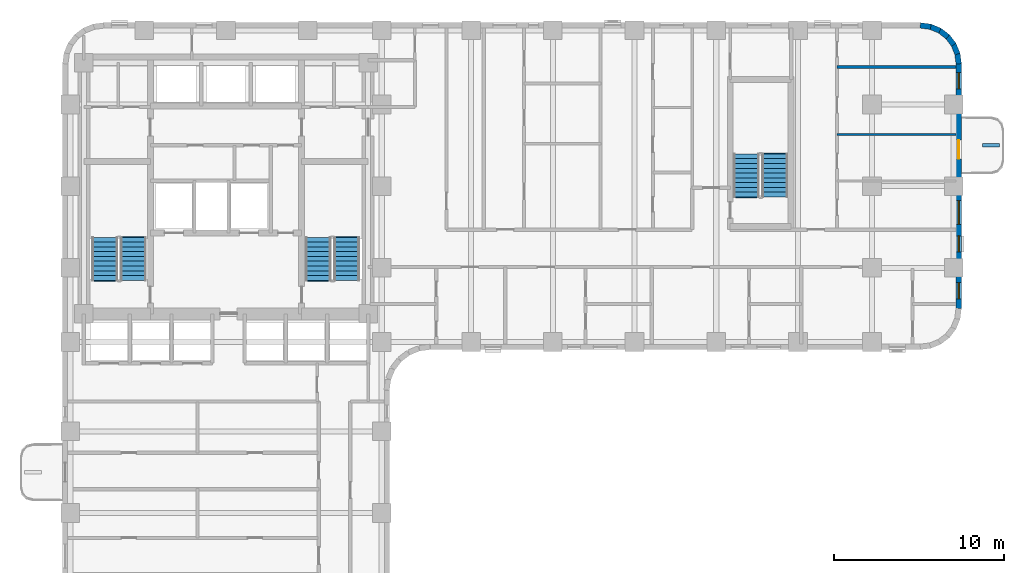
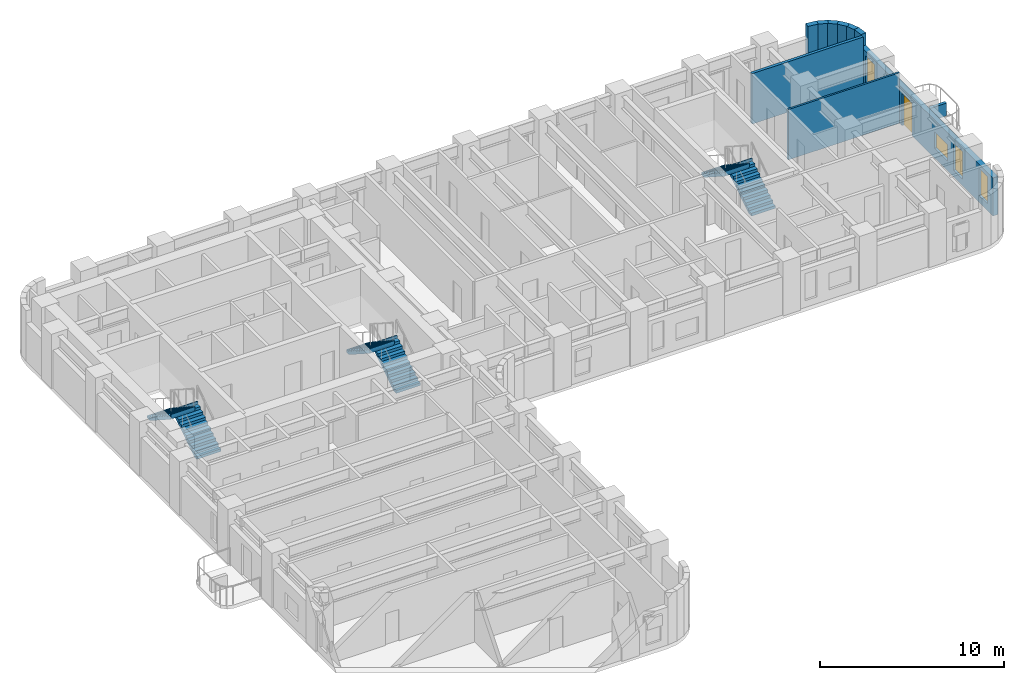
# One storey, part 8 of 11: 10 walls, 6 stair flights, 4 windows, 1 door, 5 openings, 3 elements without a shape of their own.
"""IFC4 building model written with IfcOpenShell, lengths in metres."""

from ifc_helpers import new_model, si_unit, direction, frame, frame_2d, origin, place, context, subcontext, project, spatial, polyline, rectangle, outline, extrude, material, layer, layer_set, type_object, element, fill, aggregate, save


model = new_model("IFC4")

# Units and contexts
model_context = context("Model", 3, precision=1e-05, world=origin(), true_north=direction((0.0, 1.0)))
body_context = subcontext(model_context, "Body", "Model", "MODEL_VIEW")
ifc_project = project(units=[si_unit("LENGTHUNIT", "METRE"), si_unit("AREAUNIT", "SQUARE_METRE"), si_unit("VOLUMEUNIT", "CUBIC_METRE"), si_unit("PLANEANGLEUNIT", "RADIAN"), si_unit("MASSUNIT", "GRAM", prefix="KILO")], contexts=[model_context])

# Site, building, storey
site_placement = place(None, origin())
site = spatial("IfcSite", under=ifc_project, at=site_placement, CompositionType="ELEMENT")
building_placement = place(site_placement, origin())
building = spatial("IfcBuilding", under=site, at=building_placement, Name="Orvandelia Arch Residences", CompositionType="ELEMENT")
storey_placement = place(building_placement, frame((0.0, 0.0, 86.199951171875)))
storey = spatial("IfcBuildingStorey", under=building, at=storey_placement, Name="L22", CompositionType="ELEMENT", Elevation=86.199951171875)

# Walls
ifc_material_1 = material(Name="Precast concrete C40/50", Category="concrete")
ifc_layer_1 = layer(ifc_material_1, 0.320068359375, Name="Precast concrete C40/50", Category="concrete")
ifc_layer_set_1 = layer_set([ifc_layer_1], Name="Precast concrete C40/50")
wall_type_1 = type_object("IfcWallType", Name="WL-EXT-STONE-320", PredefinedType="STANDARD", material=ifc_layer_set_1)
for number, where, z_axis, x_axis, name in (
    (1, (55.17919921875, 47.84130859375, 0.0), (0.0, 0.0, 1.0), (0.9914410257, -0.130555323746, 0.0), "Coral-Limestone Precast Facade Wall L22-008"),
    (2, (55.760009765625, 47.7705078125, 0.0), (0.0, 0.0, 1.0), (0.92389335771, -0.382650053678, 0.0), "Coral-Limestone Precast Facade Wall L22-009"),
):
    element("IfcWall", number, at=place(storey_placement, frame(where, z_axis=z_axis, x_axis=x_axis)), inside=storey, type_object=wall_type_1, Name=name, PredefinedType="STANDARD", context=body_context, shape_type="SweptSolid", body=[
        extrude(rectangle(XDim=0.62646484375, YDim=0.320068359375, at=frame_2d((0.313232421875, 0.0))), origin(), (0.0, 0.0, 1.0), 3.35009765625),
    ])
wall_1_placement = place(storey_placement, frame((56.302490234375, 47.551513671875, 0.0), z_axis=(0.0, 0.0, 1.0), x_axis=(0.793549926411, -0.608505147302, 0.0)))
element("IfcWall", 3, at=wall_1_placement, inside=storey, type_object=wall_type_1, Name="Coral-Limestone Precast Facade Wall L22-010", PredefinedType="STANDARD", context=body_context, shape_type="SweptSolid", body=[
    extrude(rectangle(XDim=0.626708984375, YDim=0.320068359375, at=frame_2d((0.3134765625, 0.0))), origin(), (0.0, 0.0, 1.0), 3.35009765625),
])
for number, where, z_axis, x_axis, name in (
    (4, (56.770263671875, 47.19970703125, 0.0), (0.0, 0.0, 1.0), (0.608693302629, -0.793405610854, 0.0), "Coral-Limestone Precast Facade Wall L22-011"),
    (5, (57.130615234375, 46.73876953125, 0.0), (0.0, 0.0, 1.0), (0.382650053678, -0.92389335771, 0.0), "Coral-Limestone Precast Facade Wall L22-012"),
    (6, (57.359619140625, 46.2001953125, 0.0), (0.0, 0.0, 1.0), (0.130555323746, -0.9914410257, 0.0), "Coral-Limestone Precast Facade Wall L22-013"),
):
    element("IfcWall", number, at=place(storey_placement, frame(where, z_axis=z_axis, x_axis=x_axis)), inside=storey, type_object=wall_type_1, Name=name, PredefinedType="STANDARD", context=body_context, shape_type="SweptSolid", body=[
        extrude(rectangle(XDim=0.62646484375, YDim=0.320068359375, at=frame_2d((0.313232421875, 0.0))), origin(), (0.0, 0.0, 1.0), 3.35009765625),
    ])

# Wall, openings, door, windows
wall_2_placement = place(storey_placement, frame((57.43994140625, 45.60009765625, 0.0), z_axis=(0.0, 0.0, 1.0), x_axis=(0.0, -1.0, 0.0)))
wall_2 = element("IfcWall", 7, at=wall_2_placement, inside=storey, type_object=wall_type_1, Name="Coral-Limestone Precast Facade Wall L22-014", PredefinedType="STANDARD", context=body_context, shape_type="SweptSolid", body=[
    extrude(rectangle(XDim=14.400146484375, YDim=0.320068359375, at=frame_2d((7.2001953125, 0.0))), origin(), (0.0, 0.0, 1.0), 2.530029296875),
])
opening_1_placement = place(wall_2_placement, frame((4.5, 0.0, 0.0)))
opening_1 = element("IfcOpeningElement", 8, at=opening_1_placement, cuts=wall_2, Name="Opening BD1", PredefinedType="OPENING", context=body_context, shape_type="SweptSolid", body=[
    extrude(rectangle(XDim=1.10009765625, YDim=2.14990234375, at=frame_2d((0.550048828125, 1.074951171875))), frame((0.0, 0.169921875, 0.0), z_axis=(0.0, -1.0, 0.0), x_axis=(1.0, 0.0, 0.0)), (0.0, 0.0, 1.0), 0.340087890625),
])
opening_2_placement = place(wall_2_placement, frame((8.050048828125, 0.0, 0.64990234375)))
opening_2 = element("IfcOpeningElement", 9, at=opening_2_placement, cuts=wall_2, Name="Opening W10", PredefinedType="OPENING", context=body_context, shape_type="SweptSolid", body=[
    extrude(rectangle(XDim=1.39990234375, YDim=1.10009765625, at=frame_2d((0.699951171875, 0.550048828125))), frame((0.0, 0.169921875, 0.0), z_axis=(0.0, -1.0, 0.0), x_axis=(1.0, 0.0, 0.0)), (0.0, 0.0, 1.0), 0.340087890625),
])
opening_3_placement = place(wall_2_placement, frame((10.114990234375, 0.0, 0.449951171875)))
opening_3 = element("IfcOpeningElement", 10, at=opening_3_placement, cuts=wall_2, Name="Opening W4", PredefinedType="OPENING", context=body_context, shape_type="SweptSolid", body=[
    extrude(rectangle(XDim=0.949951171875, YDim=1.800048828125, at=frame_2d((0.47509765625, 0.89990234375))), frame((0.0, 0.169921875, 0.0), z_axis=(0.0, -1.0, 0.0), x_axis=(1.0, 0.0, 0.0)), (0.0, 0.0, 1.0), 0.340087890625),
])
opening_4_placement = place(wall_2_placement, frame((12.867431640625, 0.0, 0.449951171875)))
opening_4 = element("IfcOpeningElement", 11, at=opening_4_placement, cuts=wall_2, Name="Opening W4", PredefinedType="OPENING", context=body_context, shape_type="SweptSolid", body=[
    extrude(rectangle(XDim=0.949951171875, YDim=1.800048828125, at=frame_2d((0.47509765625, 0.89990234375))), frame((0.0, 0.169921875, 0.0), z_axis=(0.0, -1.0, 0.0), x_axis=(1.0, 0.0, 0.0)), (0.0, 0.0, 1.0), 0.340087890625),
])
opening_5_placement = place(wall_2_placement, frame((0.537109375, 0.0, 0.449951171875)))
opening_5 = element("IfcOpeningElement", 12, at=opening_5_placement, cuts=wall_2, Name="Opening W4", PredefinedType="OPENING", context=body_context, shape_type="SweptSolid", body=[
    extrude(rectangle(XDim=0.949951171875, YDim=1.800048828125, at=frame_2d((0.47509765625, 0.89990234375))), frame((0.0, 0.169921875, 0.0), z_axis=(0.0, -1.0, 0.0), x_axis=(1.0, 0.0, 0.0)), (0.0, 0.0, 1.0), 0.340087890625),
])
ifc_material_2 = material(Name="Thermally Broken Aluminium Glazed Door", Category="aluminium")
door_type = type_object("IfcDoorType", Name="DR-BAL-GLAZ-1100", OperationType="NOTDEFINED", PredefinedType="DOOR", material=ifc_material_2)
door_placement = place(opening_1_placement, origin())
door = element("IfcDoor", 13, at=door_placement, inside=storey, type_object=door_type, Name="Tree Balcony Glazed Door BAL-L22-E1", OperationType="SINGLE_SWING_LEFT", OverallHeight=2.14990234375, OverallWidth=1.10009765625, PredefinedType="DOOR", context=body_context, shape_type="SweptSolid", body=[
    extrude(rectangle(XDim=1.10009765625, YDim=2.14990234375, at=frame_2d((0.550048828125, 1.074951171875))), frame((0.0, 0.02490234375, 0.0), z_axis=(0.0, -1.0, 0.0), x_axis=(1.0, 0.0, 0.0)), (0.0, 0.0, 1.0), 0.050048828125),
])
fill(opening_1, door)
ifc_material_3 = material(Name="Tempered Low-E Insulated Glazing", Category="glass")
window_type_1 = type_object("IfcWindowType", Name="WIN-CLR-1400x1100", PartitioningType="SINGLE_PANEL", PredefinedType="WINDOW", material=ifc_material_3)
window_1_placement = place(opening_2_placement, origin())
window_1 = element("IfcWindow", 14, at=window_1_placement, inside=storey, type_object=window_type_1, Name="Recessed Punched Window L22-011", OverallHeight=1.10009765625, OverallWidth=1.39990234375, PartitioningType="SINGLE_PANEL", PredefinedType="WINDOW", context=body_context, shape_type="SweptSolid", body=[
    extrude(rectangle(XDim=1.39990234375, YDim=1.10009765625, at=frame_2d((0.699951171875, 0.550048828125))), frame((0.0, 0.030029296875, 0.0), z_axis=(0.0, -1.0, 0.0), x_axis=(1.0, 0.0, 0.0)), (0.0, 0.0, 1.0), 0.06005859375),
])
fill(opening_2, window_1)
window_type_2 = type_object("IfcWindowType", Name="WIN-RES-0950x1800", PartitioningType="SINGLE_PANEL", PredefinedType="WINDOW", material=ifc_material_3)
window_2_placement = place(opening_3_placement, origin())
window_2 = element("IfcWindow", 15, at=window_2_placement, inside=storey, type_object=window_type_2, Name="Recessed Punched Window L22-012", OverallHeight=1.800048828125, OverallWidth=0.949951171875, PartitioningType="SINGLE_PANEL", PredefinedType="WINDOW", context=body_context, shape_type="SweptSolid", body=[
    extrude(rectangle(XDim=0.949951171875, YDim=1.800048828125, at=frame_2d((0.47509765625, 0.89990234375))), frame((0.0, 0.030029296875, 0.0), z_axis=(0.0, -1.0, 0.0), x_axis=(1.0, 0.0, 0.0)), (0.0, 0.0, 1.0), 0.06005859375),
])
fill(opening_3, window_2)
window_3_placement = place(opening_4_placement, origin())
window_3 = element("IfcWindow", 16, at=window_3_placement, inside=storey, type_object=window_type_2, Name="Recessed Punched Window L22-013", OverallHeight=1.800048828125, OverallWidth=0.949951171875, PartitioningType="SINGLE_PANEL", PredefinedType="WINDOW", context=body_context, shape_type="SweptSolid", body=[
    extrude(rectangle(XDim=0.949951171875, YDim=1.800048828125, at=frame_2d((0.47509765625, 0.89990234375))), frame((0.0, 0.030029296875, 0.0), z_axis=(0.0, -1.0, 0.0), x_axis=(1.0, 0.0, 0.0)), (0.0, 0.0, 1.0), 0.06005859375),
])
fill(opening_4, window_3)
window_4_placement = place(opening_5_placement, origin())
window_4 = element("IfcWindow", 17, at=window_4_placement, inside=storey, type_object=window_type_2, Name="Recessed Punched Window L22-014", OverallHeight=1.800048828125, OverallWidth=0.949951171875, PartitioningType="SINGLE_PANEL", PredefinedType="WINDOW", context=body_context, shape_type="SweptSolid", body=[
    extrude(rectangle(XDim=0.949951171875, YDim=1.800048828125, at=frame_2d((0.47509765625, 0.89990234375))), frame((0.0, 0.030029296875, 0.0), z_axis=(0.0, -1.0, 0.0), x_axis=(1.0, 0.0, 0.0)), (0.0, 0.0, 1.0), 0.06005859375),
])
fill(opening_5, window_4)

# Walls
ifc_material_4 = material(Name="Lightweight Gypsum Stud Partition")
ifc_layer_2 = layer(ifc_material_4, 0.1201171875, Name="Lightweight Gypsum Stud Partition")
ifc_layer_set_2 = layer_set([ifc_layer_2], Name="Lightweight Gypsum Stud Partition")
wall_type_2 = type_object("IfcWallType", Name="WL-PART-120", PredefinedType="PARTITIONING", material=ifc_layer_set_2)
wall_3_placement = place(storey_placement, frame((50.291015625, 41.445068359375, 0.0), z_axis=(0.0, 0.0, 1.0), x_axis=(1.0, 0.0, 0.0)))
element("IfcWall", 18, at=wall_3_placement, inside=storey, type_object=wall_type_2, Name="Interior Partition Wall WL-L22-U11-H1", PredefinedType="PARTITIONING", context=body_context, shape_type="SweptSolid", body=[
    extrude(rectangle(XDim=6.989013671875, YDim=0.1201171875, at=frame_2d((3.49462890625, 0.0))), origin(), (0.0, 0.0, 1.0), 3.35009765625),
])
ifc_layer_3 = layer(ifc_material_1, 0.199951171875, Name="Precast concrete C40/50", Category="concrete")
ifc_layer_set_3 = layer_set([ifc_layer_3], Name="Precast concrete C40/50")
wall_type_3 = type_object("IfcWallType", Name="WL-PLANTER-200", PredefinedType="MOVABLE", material=ifc_layer_set_3)
wall_4_placement = place(storey_placement, frame((58.85009765625, 40.800048828125, 0.0), z_axis=(0.0, 0.0, 1.0), x_axis=(1.0, 0.0, 0.0)))
element("IfcWall", 19, at=wall_4_placement, inside=storey, type_object=wall_type_3, Name="Balcony Precast Tree Planter BAL-L22-E1", PredefinedType="MOVABLE", context=body_context, shape_type="SweptSolid", body=[
    extrude(rectangle(XDim=1.0, YDim=0.199951171875, at=frame_2d((0.5, 0.0))), origin(), (0.0, 0.0, 1.0), 0.85009765625),
])
ifc_material_5 = material(Name="Moisture-Resistant Plumbing Wall")
ifc_layer_4 = layer(ifc_material_5, 0.179931640625, Name="Moisture-Resistant Plumbing Wall")
ifc_layer_set_4 = layer_set([ifc_layer_4], Name="Moisture-Resistant Plumbing Wall")
wall_type_4 = type_object("IfcWallType", Name="WL-WET-180", PredefinedType="PLUMBINGWALL", material=ifc_layer_set_4)
wall_5_placement = place(storey_placement, frame((50.291015625, 45.406005859375, 0.0), z_axis=(0.0, 0.0, 1.0), x_axis=(1.0, 0.0, 0.0)))
element("IfcWall", 20, at=wall_5_placement, inside=storey, type_object=wall_type_4, Name="Interior Partition Wall WL-L22-U11-H2", PredefinedType="PLUMBINGWALL", context=body_context, shape_type="SweptSolid", body=[
    extrude(rectangle(XDim=6.989013671875, YDim=0.179931640625, at=frame_2d((3.49462890625, 0.0))), origin(), (0.0, 0.0, 1.0), 3.35009765625),
])

# Stair, stair flights
ifc_material_6 = material(Name="Concrete C40/50", Category="concrete")
stair_type = type_object("IfcStairType", Name="STAIR-RC-DOGLEG", PredefinedType="HALF_TURN_STAIR", material=ifc_material_6)
stair_1_placement = place(storey_placement, origin())
stair_1 = element("IfcStair", 21, at=stair_1_placement, inside=storey, type_object=stair_type, Name="L22 Protected Exit Stair ST-1", PredefinedType="HALF_TURN_STAIR")
stair_flight_type = type_object("IfcStairFlightType", Name="STFLT-RC-1520", PredefinedType="STRAIGHT", material=ifc_material_6)
stair_flight_1_placement = place(storey_placement, frame((8.9599609375, 32.8701171875, 0.0), z_axis=(0.0, 0.0, 1.0), x_axis=(0.0, 1.0, 0.0)))
stair_flight_1 = element("IfcStairFlight", 22, at=stair_flight_1_placement, type_object=stair_flight_type, Name="ST-1 flight 1", NumberOfRisers=10, NumberOfTreads=9, PredefinedType="STRAIGHT", RiserHeight=0.18, TreadLength=0.28, context=body_context, shape_type="SweptSolid", body=[
    extrude(outline(polyline([(0.0, 0.0), (0.0, 0.179931640625), (0.280029296875, 0.179931640625), (0.280029296875, 0.360107421875), (0.56005859375, 0.360107421875), (0.56005859375, 0.5400390625), (0.840087890625, 0.5400390625), (0.840087890625, 0.719970703125), (1.1201171875, 0.719970703125), (1.1201171875, 0.89990234375), (1.39990234375, 0.89990234375), (1.39990234375, 1.080078125), (1.679931640625, 1.080078125), (1.679931640625, 1.260009765625), (1.9599609375, 1.260009765625), (1.9599609375, 1.43994140625), (2.239990234375, 1.43994140625), (2.239990234375, 1.6201171875), (2.52001953125, 1.6201171875), (2.52001953125, 1.800048828125), (2.580078125, 1.800048828125), (2.580078125, 1.6201171875), (2.52001953125, 1.44189453125), (0.277099609375, 0.0), (0.0, 0.0)])), frame((0.0, 0.760009765625, 0.0), z_axis=(0.0, -1.0, 0.0), x_axis=(1.0, 0.0, 0.0)), (0.0, 0.0, 1.0), 1.52001953125),
])
stair_flight_2_placement = place(storey_placement, frame((7.2900390625, 35.389892578125, 1.800048828125), z_axis=(0.0, 0.0, 1.0), x_axis=(0.0, -1.0, 0.0)))
stair_flight_2 = element("IfcStairFlight", 23, at=stair_flight_2_placement, type_object=stair_flight_type, Name="ST-1 flight 2", NumberOfRisers=10, NumberOfTreads=9, PredefinedType="STRAIGHT", RiserHeight=0.18, TreadLength=0.28, context=body_context, shape_type="SweptSolid", body=[
    extrude(outline(polyline([(0.0, 0.0), (0.0, 0.179931640625), (0.280029296875, 0.179931640625), (0.280029296875, 0.360107421875), (0.56005859375, 0.360107421875), (0.56005859375, 0.5400390625), (0.840087890625, 0.5400390625), (0.840087890625, 0.719970703125), (1.1201171875, 0.719970703125), (1.1201171875, 0.89990234375), (1.39990234375, 0.89990234375), (1.39990234375, 1.080078125), (1.679931640625, 1.080078125), (1.679931640625, 1.260009765625), (1.9599609375, 1.260009765625), (1.9599609375, 1.43994140625), (2.239990234375, 1.43994140625), (2.239990234375, 1.6201171875), (2.52001953125, 1.6201171875), (2.52001953125, 1.800048828125), (2.580078125, 1.800048828125), (2.580078125, 1.6201171875), (2.52001953125, 1.44189453125), (0.277099609375, 0.0), (0.0, 0.0)])), frame((0.0, 0.760009765625, 0.0), z_axis=(0.0, -1.0, 0.0), x_axis=(1.0, 0.0, 0.0)), (0.0, 0.0, 1.0), 1.52001953125),
])
aggregate(stair_1, [stair_flight_1, stair_flight_2])

stair_2_placement = place(storey_placement, origin())
stair_2 = element("IfcStair", 24, at=stair_2_placement, inside=storey, type_object=stair_type, Name="L22 Protected Exit Stair ST-2", PredefinedType="HALF_TURN_STAIR")
stair_flight_3_placement = place(storey_placement, frame((21.489990234375, 32.8701171875, 0.0), z_axis=(0.0, 0.0, 1.0), x_axis=(0.0, 1.0, 0.0)))
stair_flight_3 = element("IfcStairFlight", 25, at=stair_flight_3_placement, type_object=stair_flight_type, Name="ST-2 flight 1", NumberOfRisers=10, NumberOfTreads=9, PredefinedType="STRAIGHT", RiserHeight=0.18, TreadLength=0.28, context=body_context, shape_type="SweptSolid", body=[
    extrude(outline(polyline([(0.0, 0.0), (0.0, 0.179931640625), (0.280029296875, 0.179931640625), (0.280029296875, 0.360107421875), (0.56005859375, 0.360107421875), (0.56005859375, 0.5400390625), (0.840087890625, 0.5400390625), (0.840087890625, 0.719970703125), (1.1201171875, 0.719970703125), (1.1201171875, 0.89990234375), (1.39990234375, 0.89990234375), (1.39990234375, 1.080078125), (1.679931640625, 1.080078125), (1.679931640625, 1.260009765625), (1.9599609375, 1.260009765625), (1.9599609375, 1.43994140625), (2.239990234375, 1.43994140625), (2.239990234375, 1.6201171875), (2.52001953125, 1.6201171875), (2.52001953125, 1.800048828125), (2.580078125, 1.800048828125), (2.580078125, 1.6201171875), (2.52001953125, 1.44189453125), (0.277099609375, 0.0), (0.0, 0.0)])), frame((0.0, 0.760009765625, 0.0), z_axis=(0.0, -1.0, 0.0), x_axis=(1.0, 0.0, 0.0)), (0.0, 0.0, 1.0), 1.52001953125),
])
stair_flight_4_placement = place(storey_placement, frame((19.820068359375, 35.389892578125, 1.800048828125), z_axis=(0.0, 0.0, 1.0), x_axis=(0.0, -1.0, 0.0)))
stair_flight_4 = element("IfcStairFlight", 26, at=stair_flight_4_placement, type_object=stair_flight_type, Name="ST-2 flight 2", NumberOfRisers=10, NumberOfTreads=9, PredefinedType="STRAIGHT", RiserHeight=0.18, TreadLength=0.28, context=body_context, shape_type="SweptSolid", body=[
    extrude(outline(polyline([(0.0, 0.0), (0.0, 0.179931640625), (0.280029296875, 0.179931640625), (0.280029296875, 0.360107421875), (0.56005859375, 0.360107421875), (0.56005859375, 0.5400390625), (0.840087890625, 0.5400390625), (0.840087890625, 0.719970703125), (1.1201171875, 0.719970703125), (1.1201171875, 0.89990234375), (1.39990234375, 0.89990234375), (1.39990234375, 1.080078125), (1.679931640625, 1.080078125), (1.679931640625, 1.260009765625), (1.9599609375, 1.260009765625), (1.9599609375, 1.43994140625), (2.239990234375, 1.43994140625), (2.239990234375, 1.6201171875), (2.52001953125, 1.6201171875), (2.52001953125, 1.800048828125), (2.580078125, 1.800048828125), (2.580078125, 1.6201171875), (2.52001953125, 1.44189453125), (0.277099609375, 0.0), (0.0, 0.0)])), frame((0.0, 0.760009765625, 0.0), z_axis=(0.0, -1.0, 0.0), x_axis=(1.0, 0.0, 0.0)), (0.0, 0.0, 1.0), 1.52001953125),
])
aggregate(stair_2, [stair_flight_3, stair_flight_4])

stair_3_placement = place(storey_placement, origin())
stair_3 = element("IfcStair", 27, at=stair_3_placement, inside=storey, type_object=stair_type, Name="L22 East Wing Exit Stair ST-3", PredefinedType="HALF_TURN_STAIR")
stair_flight_5_placement = place(storey_placement, frame((46.639892578125, 37.77001953125, 0.0), z_axis=(0.0, 0.0, 1.0), x_axis=(0.0, 1.0, 0.0)))
stair_flight_5 = element("IfcStairFlight", 28, at=stair_flight_5_placement, type_object=stair_flight_type, Name="ST-3 flight 1", NumberOfRisers=10, NumberOfTreads=9, PredefinedType="STRAIGHT", RiserHeight=0.18, TreadLength=0.28, context=body_context, shape_type="SweptSolid", body=[
    extrude(outline(polyline([(0.0, 0.0), (0.0, 0.179931640625), (0.280029296875, 0.179931640625), (0.280029296875, 0.360107421875), (0.56005859375, 0.360107421875), (0.56005859375, 0.5400390625), (0.840087890625, 0.5400390625), (0.840087890625, 0.719970703125), (1.1201171875, 0.719970703125), (1.1201171875, 0.89990234375), (1.39990234375, 0.89990234375), (1.39990234375, 1.080078125), (1.679931640625, 1.080078125), (1.679931640625, 1.260009765625), (1.9599609375, 1.260009765625), (1.9599609375, 1.43994140625), (2.239990234375, 1.43994140625), (2.239990234375, 1.6201171875), (2.52001953125, 1.6201171875), (2.52001953125, 1.800048828125), (2.580078125, 1.800048828125), (2.580078125, 1.6201171875), (2.52001953125, 1.44189453125), (0.277099609375, 0.0), (0.0, 0.0)])), frame((0.0, 0.760009765625, 0.0), z_axis=(0.0, -1.0, 0.0), x_axis=(1.0, 0.0, 0.0)), (0.0, 0.0, 1.0), 1.52001953125),
])
stair_flight_6_placement = place(storey_placement, frame((44.969970703125, 40.2900390625, 1.800048828125), z_axis=(0.0, 0.0, 1.0), x_axis=(0.0, -1.0, 0.0)))
stair_flight_6 = element("IfcStairFlight", 29, at=stair_flight_6_placement, type_object=stair_flight_type, Name="ST-3 flight 2", NumberOfRisers=10, NumberOfTreads=9, PredefinedType="STRAIGHT", RiserHeight=0.18, TreadLength=0.28, context=body_context, shape_type="SweptSolid", body=[
    extrude(outline(polyline([(0.0, 0.0), (0.0, 0.179931640625), (0.280029296875, 0.179931640625), (0.280029296875, 0.360107421875), (0.56005859375, 0.360107421875), (0.56005859375, 0.5400390625), (0.840087890625, 0.5400390625), (0.840087890625, 0.719970703125), (1.1201171875, 0.719970703125), (1.1201171875, 0.89990234375), (1.39990234375, 0.89990234375), (1.39990234375, 1.080078125), (1.679931640625, 1.080078125), (1.679931640625, 1.260009765625), (1.9599609375, 1.260009765625), (1.9599609375, 1.43994140625), (2.239990234375, 1.43994140625), (2.239990234375, 1.6201171875), (2.52001953125, 1.6201171875), (2.52001953125, 1.800048828125), (2.580078125, 1.800048828125), (2.580078125, 1.6201171875), (2.52001953125, 1.44189453125), (0.277099609375, 0.0), (0.0, 0.0)])), frame((0.0, 0.760009765625, 0.0), z_axis=(0.0, -1.0, 0.0), x_axis=(1.0, 0.0, 0.0)), (0.0, 0.0, 1.0), 1.52001953125),
])
aggregate(stair_3, [stair_flight_5, stair_flight_6])

save(model, "model.ifc")
